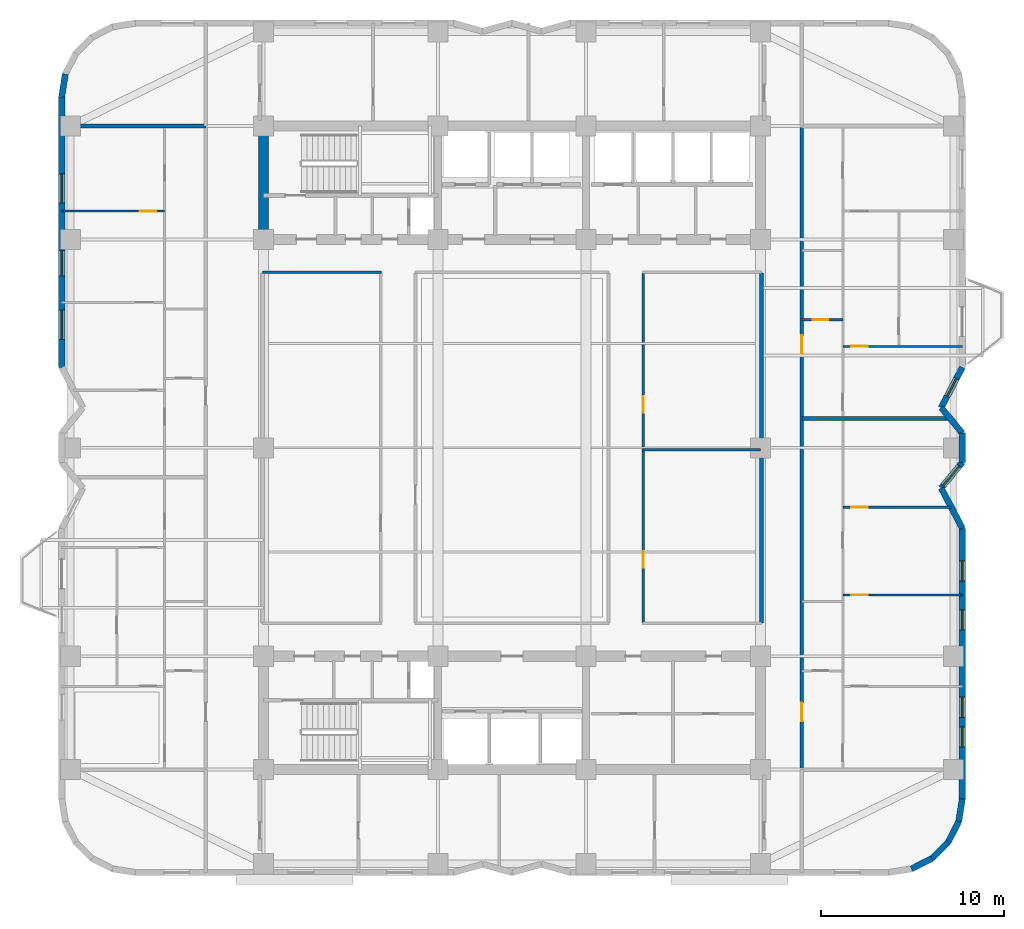
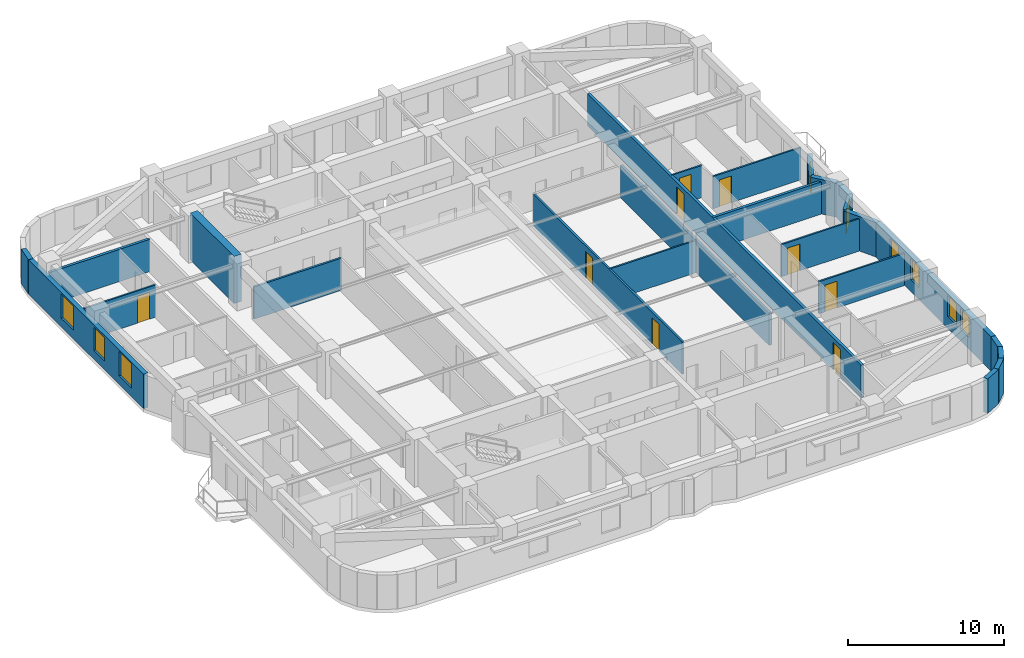
# One storey, part 5 of 10: 25 walls, 9 doors, 9 windows, 18 openings.
"""IFC4 building model written with IfcOpenShell, lengths in metres."""

from ifc_helpers import new_model, si_unit, direction, frame, frame_2d, origin, place, context, subcontext, project, spatial, rectangle, extrude, material, layer, layer_set, type_object, element, fill, save


model = new_model("IFC4")

# Units and contexts
model_context = context("Model", 3, precision=1e-05, world=origin(), true_north=direction((0.0, 1.0)))
body_context = subcontext(model_context, "Body", "Model", "MODEL_VIEW")
ifc_project = project(units=[si_unit("LENGTHUNIT", "METRE"), si_unit("AREAUNIT", "SQUARE_METRE"), si_unit("VOLUMEUNIT", "CUBIC_METRE"), si_unit("PLANEANGLEUNIT", "RADIAN"), si_unit("MASSUNIT", "GRAM", prefix="KILO")], contexts=[model_context])

# Site, building, storey
site_placement = place(None, origin())
site = spatial("IfcSite", under=ifc_project, at=site_placement, CompositionType="ELEMENT")
building_placement = place(site_placement, origin())
building = spatial("IfcBuilding", under=site, at=building_placement, Name="Svetorya Sky Lyceum", CompositionType="ELEMENT")
storey_placement = place(building_placement, frame((0.0, 0.0, 129.0)))
storey = spatial("IfcBuildingStorey", under=building, at=storey_placement, Name="L32", CompositionType="ELEMENT", Elevation=129.0)

# Walls
ifc_material_1 = material(Name="Concrete C60/75", Category="concrete")
ifc_layer_1 = layer(ifc_material_1, 0.550048828125)
ifc_layer_set_1 = layer_set([ifc_layer_1], Name="Concrete C60/75")
wall_type_1 = type_object("IfcWallType", Name="WL-CORE-550", PredefinedType="SHEAR", material=ifc_layer_set_1)
wall_1_placement = place(storey_placement, frame((25.60009765625, 39.875, 0.0), z_axis=(0.0, 0.0, 1.0), x_axis=(0.0, 1.0, 0.0)))
element("IfcWall", 1, at=wall_1_placement, inside=storey, type_object=wall_type_1, Name="L32 NC West Core Shear Wall", PredefinedType="SHEAR", context=body_context, shape_type="SweptSolid", body=[
    extrude(rectangle(XDim=5.64990234375, YDim=0.550048828125, at=frame_2d((2.824951171875, 0.0))), origin(), (0.0, 0.0, 1.0), 3.699951171875),
])
ifc_material_2 = material(Name="Putilovo limestone rainscreen on autoclaved cellular masonry", Category="masonry")
ifc_layer_2 = layer(ifc_material_2, 0.340087890625)
ifc_layer_set_2 = layer_set([ifc_layer_2], Name="Putilovo limestone rainscreen on autoclaved cellular masonry")
wall_type_2 = type_object("IfcWallType", Name="WL-EXT-340", PredefinedType="SOLIDWALL", material=ifc_layer_set_2)
for number, where, z_axis, x_axis, name in (
    (2, (61.04541015625, 5.167236328125, 0.0), (0.0, 0.0, 1.0), (0.890953769915, 0.454094020963, 0.0), "L32 Limestone Exterior Wall 13M"),
    (3, (62.168701171875, 5.73974609375, 0.0), (0.0, 0.0, 1.0), (0.707203598708, 0.707009950407, 0.0), "L32 Limestone Exterior Wall 14M"),
):
    element("IfcWall", number, at=place(storey_placement, frame(where, z_axis=z_axis, x_axis=x_axis)), inside=storey, type_object=wall_type_2, Name=name, PredefinedType="SOLIDWALL", context=body_context, shape_type="SweptSolid", body=[
        extrude(rectangle(XDim=1.2607421875, YDim=0.340087890625, at=frame_2d((0.63037109375, 0.0))), origin(), (0.0, 0.0, 1.0), 2.699951171875),
    ])
for number, where, z_axis, x_axis, name in (
    (4, (63.060302734375, 6.631103515625, 0.0), (0.0, 0.0, 1.0), (0.454015689056, 0.890993689142, 0.0), "L32 Limestone Exterior Wall 15M"),
    (5, (63.6328125, 7.754638671875, 0.0), (0.0, 0.0, 1.0), (0.15644975923, 0.987685918112, 0.0), "L32 Limestone Exterior Wall 16M"),
):
    element("IfcWall", number, at=place(storey_placement, frame(where, z_axis=z_axis, x_axis=x_axis)), inside=storey, type_object=wall_type_2, Name=name, PredefinedType="SOLIDWALL", context=body_context, shape_type="SweptSolid", body=[
        extrude(rectangle(XDim=1.260986328125, YDim=0.340087890625, at=frame_2d((0.63037109375, 0.0))), origin(), (0.0, 0.0, 1.0), 2.699951171875),
    ])

# Wall, openings, windows
wall_2_placement = place(storey_placement, frame((63.830078125, 9.0, 0.0), z_axis=(0.0, 0.0, 1.0), x_axis=(0.0, 1.0, 0.0)))
wall_2 = element("IfcWall", 6, at=wall_2_placement, inside=storey, type_object=wall_type_2, Name="L32 Limestone Exterior Wall 17M", PredefinedType="SOLIDWALL", context=body_context, shape_type="SweptSolid", body=[
    extrude(rectangle(XDim=14.800048828125, YDim=0.340087890625, at=frame_2d((7.39990234375, 0.0))), origin(), (0.0, 0.0, 1.0), 2.699951171875),
])
opening_1_placement = place(wall_2_placement, frame((2.83740234375, 0.0, 0.929931640625)))
opening_1 = element("IfcOpeningElement", 7, at=opening_1_placement, cuts=wall_2, Name="Opening W-R3", PredefinedType="OPENING", context=body_context, shape_type="SweptSolid", body=[
    extrude(rectangle(XDim=1.10009765625, YDim=1.64990234375, at=frame_2d((0.550048828125, 0.824951171875))), frame((0.0, 0.179931640625, 0.0), z_axis=(0.0, -1.0, 0.0), x_axis=(1.0, 0.0, 0.0)), (0.0, 0.0, 1.0), 0.360107421875),
])
opening_2_placement = place(wall_2_placement, frame((4.46240234375, 0.0, 0.929931640625)))
opening_2 = element("IfcOpeningElement", 8, at=opening_2_placement, cuts=wall_2, Name="Opening W-R3", PredefinedType="OPENING", context=body_context, shape_type="SweptSolid", body=[
    extrude(rectangle(XDim=1.10009765625, YDim=1.64990234375, at=frame_2d((0.550048828125, 0.824951171875))), frame((0.0, 0.179931640625, 0.0), z_axis=(0.0, -1.0, 0.0), x_axis=(1.0, 0.0, 0.0)), (0.0, 0.0, 1.0), 0.360107421875),
])
opening_3_placement = place(wall_2_placement, frame((9.237548828125, 0.0, 0.929931640625)))
opening_3 = element("IfcOpeningElement", 9, at=opening_3_placement, cuts=wall_2, Name="Opening W-R3", PredefinedType="OPENING", context=body_context, shape_type="SweptSolid", body=[
    extrude(rectangle(XDim=1.10009765625, YDim=1.64990234375, at=frame_2d((0.550048828125, 0.824951171875))), frame((0.0, 0.179931640625, 0.0), z_axis=(0.0, -1.0, 0.0), x_axis=(1.0, 0.0, 0.0)), (0.0, 0.0, 1.0), 0.360107421875),
])
opening_4_placement = place(wall_2_placement, frame((11.91259765625, 0.0, 0.929931640625)))
opening_4 = element("IfcOpeningElement", 10, at=opening_4_placement, cuts=wall_2, Name="Opening W-R3", PredefinedType="OPENING", context=body_context, shape_type="SweptSolid", body=[
    extrude(rectangle(XDim=1.10009765625, YDim=1.64990234375, at=frame_2d((0.550048828125, 0.824951171875))), frame((0.0, 0.179931640625, 0.0), z_axis=(0.0, -1.0, 0.0), x_axis=(1.0, 0.0, 0.0)), (0.0, 0.0, 1.0), 0.360107421875),
])
ifc_material_3 = material(Name="Thermally broken aluminium frame with triple low-E glazing", Category="aluminium")
window_type_1 = type_object("IfcWindowType", Name="WN-RES-110", PartitioningType="SINGLE_PANEL", PredefinedType="WINDOW", material=ifc_material_3)
window_1_placement = place(opening_1_placement, origin())
window_1 = element("IfcWindow", 11, at=window_1_placement, inside=storey, type_object=window_type_1, Name="L32 Facade Window W-R3.17M.1", OverallHeight=1.64990234375, OverallWidth=1.10009765625, PartitioningType="SINGLE_PANEL", PredefinedType="WINDOW", context=body_context, shape_type="SweptSolid", body=[
    extrude(rectangle(XDim=1.10009765625, YDim=1.64990234375, at=frame_2d((0.550048828125, 0.824951171875))), frame((0.0, 0.030029296875, 0.0), z_axis=(0.0, -1.0, 0.0), x_axis=(1.0, 0.0, 0.0)), (0.0, 0.0, 1.0), 0.06005859375),
])
fill(opening_1, window_1)
window_2_placement = place(opening_2_placement, origin())
window_2 = element("IfcWindow", 12, at=window_2_placement, inside=storey, type_object=window_type_1, Name="L32 Facade Window W-R3.17M.2", OverallHeight=1.64990234375, OverallWidth=1.10009765625, PartitioningType="SINGLE_PANEL", PredefinedType="WINDOW", context=body_context, shape_type="SweptSolid", body=[
    extrude(rectangle(XDim=1.10009765625, YDim=1.64990234375, at=frame_2d((0.550048828125, 0.824951171875))), frame((0.0, 0.030029296875, 0.0), z_axis=(0.0, -1.0, 0.0), x_axis=(1.0, 0.0, 0.0)), (0.0, 0.0, 1.0), 0.06005859375),
])
fill(opening_2, window_2)
window_3_placement = place(opening_3_placement, origin())
window_3 = element("IfcWindow", 13, at=window_3_placement, inside=storey, type_object=window_type_1, Name="L32 Facade Window W-R3.17M.3", OverallHeight=1.64990234375, OverallWidth=1.10009765625, PartitioningType="SINGLE_PANEL", PredefinedType="WINDOW", context=body_context, shape_type="SweptSolid", body=[
    extrude(rectangle(XDim=1.10009765625, YDim=1.64990234375, at=frame_2d((0.550048828125, 0.824951171875))), frame((0.0, 0.030029296875, 0.0), z_axis=(0.0, -1.0, 0.0), x_axis=(1.0, 0.0, 0.0)), (0.0, 0.0, 1.0), 0.06005859375),
])
fill(opening_3, window_3)
window_4_placement = place(opening_4_placement, origin())
window_4 = element("IfcWindow", 14, at=window_4_placement, inside=storey, type_object=window_type_1, Name="L32 Facade Window W-R3.17M.4", OverallHeight=1.64990234375, OverallWidth=1.10009765625, PartitioningType="SINGLE_PANEL", PredefinedType="WINDOW", context=body_context, shape_type="SweptSolid", body=[
    extrude(rectangle(XDim=1.10009765625, YDim=1.64990234375, at=frame_2d((0.550048828125, 0.824951171875))), frame((0.0, 0.030029296875, 0.0), z_axis=(0.0, -1.0, 0.0), x_axis=(1.0, 0.0, 0.0)), (0.0, 0.0, 1.0), 0.06005859375),
])
fill(opening_4, window_4)

# Wall
wall_3_placement = place(storey_placement, frame((63.830078125, 23.800048828125, 0.0), z_axis=(0.0, 0.0, 1.0), x_axis=(-0.463308627993, 0.886196995722, 0.0)))
element("IfcWall", 15, at=wall_3_placement, inside=storey, type_object=wall_type_2, Name="L32 Limestone Exterior Wall 18M", PredefinedType="SOLIDWALL", context=body_context, shape_type="SweptSolid", body=[
    extrude(rectangle(XDim=2.482421875, YDim=0.340087890625, at=frame_2d((1.2412109375, 0.0))), origin(), (0.0, 0.0, 1.0), 2.699951171875),
])

# Wall, opening, window
wall_4_placement = place(storey_placement, frame((62.679931640625, 26.0, 0.0), z_axis=(0.0, 0.0, 1.0), x_axis=(0.634814134075, 0.772664878961, 0.0)))
wall_4 = element("IfcWall", 16, at=wall_4_placement, inside=storey, type_object=wall_type_2, Name="L32 Limestone Exterior Wall 19M", PredefinedType="SOLIDWALL", context=body_context, shape_type="SweptSolid", body=[
    extrude(rectangle(XDim=1.811767578125, YDim=0.340087890625, at=frame_2d((0.90576171875, 0.0))), origin(), (0.0, 0.0, 1.0), 2.699951171875),
])
opening_5_placement = place(wall_4_placement, frame((0.159912109375, 0.0, 0.68994140625)))
opening_5 = element("IfcOpeningElement", 17, at=opening_5_placement, cuts=wall_4, Name="Opening W-R2", PredefinedType="OPENING", context=body_context, shape_type="SweptSolid", body=[
    extrude(rectangle(XDim=1.39990234375, YDim=1.85009765625, at=frame_2d((0.699951171875, 0.925048828125))), frame((0.0, 0.179931640625, 0.0), z_axis=(0.0, -1.0, 0.0), x_axis=(1.0, 0.0, 0.0)), (0.0, 0.0, 1.0), 0.360107421875),
])
window_type_2 = type_object("IfcWindowType", Name="WN-RES-140", PartitioningType="SINGLE_PANEL", PredefinedType="WINDOW", material=ifc_material_3)
window_5_placement = place(opening_5_placement, origin())
window_5 = element("IfcWindow", 18, at=window_5_placement, inside=storey, type_object=window_type_2, Name="L32 Facade Window W-R2.19M.1", OverallHeight=1.85009765625, OverallWidth=1.39990234375, PartitioningType="SINGLE_PANEL", PredefinedType="WINDOW", context=body_context, shape_type="SweptSolid", body=[
    extrude(rectangle(XDim=1.39990234375, YDim=1.85009765625, at=frame_2d((0.699951171875, 0.925048828125))), frame((0.0, 0.030029296875, 0.0), z_axis=(0.0, -1.0, 0.0), x_axis=(1.0, 0.0, 0.0)), (0.0, 0.0, 1.0), 0.06005859375),
])
fill(opening_5, window_5)

# Walls
wall_5_placement = place(storey_placement, frame((63.830078125, 27.39990234375, 0.0), z_axis=(0.0, 0.0, 1.0), x_axis=(0.0, 1.0, 0.0)))
element("IfcWall", 19, at=wall_5_placement, inside=storey, type_object=wall_type_2, Name="L32 Limestone Exterior Wall 20M", PredefinedType="SOLIDWALL", context=body_context, shape_type="SweptSolid", body=[
    extrude(rectangle(XDim=1.60009765625, YDim=0.340087890625, at=frame_2d((0.800048828125, 0.0))), origin(), (0.0, 0.0, 1.0), 2.699951171875),
])
wall_6_placement = place(storey_placement, frame((63.830078125, 29.0, 0.0), z_axis=(0.0, 0.0, 1.0), x_axis=(-0.634814134075, 0.772664878961, 0.0)))
element("IfcWall", 20, at=wall_6_placement, inside=storey, type_object=wall_type_2, Name="L32 Limestone Exterior Wall 21M", PredefinedType="SOLIDWALL", context=body_context, shape_type="SweptSolid", body=[
    extrude(rectangle(XDim=1.811767578125, YDim=0.340087890625, at=frame_2d((0.90576171875, 0.0))), origin(), (0.0, 0.0, 1.0), 2.699951171875),
])

# Wall, opening, window
wall_7_placement = place(storey_placement, frame((62.679931640625, 30.39990234375, 0.0), z_axis=(0.0, 0.0, 1.0), x_axis=(0.46326825181, 0.88621810344, 0.0)))
wall_7 = element("IfcWall", 21, at=wall_7_placement, inside=storey, type_object=wall_type_2, Name="L32 Limestone Exterior Wall 22M", PredefinedType="SOLIDWALL", context=body_context, shape_type="SweptSolid", body=[
    extrude(rectangle(XDim=2.482666015625, YDim=0.340087890625, at=frame_2d((1.2412109375, 0.0))), origin(), (0.0, 0.0, 1.0), 2.699951171875),
])
opening_6_placement = place(wall_7_placement, frame((0.691162109375, 0.0, 0.889892578125)))
opening_6 = element("IfcOpeningElement", 22, at=opening_6_placement, cuts=wall_7, Name="Opening W-R3", PredefinedType="OPENING", context=body_context, shape_type="SweptSolid", body=[
    extrude(rectangle(XDim=1.10009765625, YDim=1.64990234375, at=frame_2d((0.550048828125, 0.824951171875))), frame((0.0, 0.179931640625, 0.0), z_axis=(0.0, -1.0, 0.0), x_axis=(1.0, 0.0, 0.0)), (0.0, 0.0, 1.0), 0.360107421875),
])
window_6_placement = place(opening_6_placement, origin())
window_6 = element("IfcWindow", 23, at=window_6_placement, inside=storey, type_object=window_type_1, Name="L32 Facade Window W-R3.22M.1", OverallHeight=1.64990234375, OverallWidth=1.10009765625, PartitioningType="SINGLE_PANEL", PredefinedType="WINDOW", context=body_context, shape_type="SweptSolid", body=[
    extrude(rectangle(XDim=1.10009765625, YDim=1.64990234375, at=frame_2d((0.550048828125, 0.824951171875))), frame((0.0, 0.030029296875, 0.0), z_axis=(0.0, -1.0, 0.0), x_axis=(1.0, 0.0, 0.0)), (0.0, 0.0, 1.0), 0.06005859375),
])
fill(opening_6, window_6)

# Wall
wall_8_placement = place(storey_placement, frame((14.76708984375, 48.645263671875, 0.0), z_axis=(0.0, 0.0, 1.0), x_axis=(-0.156260864002, -0.98771582066, 0.0)))
element("IfcWall", 24, at=wall_8_placement, inside=storey, type_object=wall_type_2, Name="L32 Limestone Exterior Wall 39M", PredefinedType="SOLIDWALL", context=body_context, shape_type="SweptSolid", body=[
    extrude(rectangle(XDim=1.2607421875, YDim=0.340087890625, at=frame_2d((0.63037109375, 0.0))), origin(), (0.0, 0.0, 1.0), 2.699951171875),
])

# Wall, openings, windows
wall_9_placement = place(storey_placement, frame((14.570068359375, 47.39990234375, 0.0), z_axis=(0.0, 0.0, 1.0), x_axis=(0.0, -1.0, 0.0)))
wall_9 = element("IfcWall", 25, at=wall_9_placement, inside=storey, type_object=wall_type_2, Name="L32 Limestone Exterior Wall 40M", PredefinedType="SOLIDWALL", context=body_context, shape_type="SweptSolid", body=[
    extrude(rectangle(XDim=14.7998046875, YDim=0.340087890625, at=frame_2d((7.39990234375, 0.0))), origin(), (0.0, 0.0, 1.0), 2.699951171875),
])
opening_7_placement = place(wall_9_placement, frame((4.21240234375, 0.0, 0.679931640625)))
opening_7 = element("IfcOpeningElement", 26, at=opening_7_placement, cuts=wall_9, Name="Opening W-R4", PredefinedType="OPENING", context=body_context, shape_type="SweptSolid", body=[
    extrude(rectangle(XDim=1.60009765625, YDim=1.89990234375, at=frame_2d((0.800048828125, 0.949951171875))), frame((0.0, 0.179931640625, 0.0), z_axis=(0.0, -1.0, 0.0), x_axis=(1.0, 0.0, 0.0)), (0.0, 0.0, 1.0), 0.360107421875),
])
opening_8_placement = place(wall_9_placement, frame((8.39990234375, 0.0, 0.68994140625)))
opening_8 = element("IfcOpeningElement", 27, at=opening_8_placement, cuts=wall_9, Name="Opening W-R2", PredefinedType="OPENING", context=body_context, shape_type="SweptSolid", body=[
    extrude(rectangle(XDim=1.39990234375, YDim=1.85009765625, at=frame_2d((0.699951171875, 0.925048828125))), frame((0.0, 0.179931640625, 0.0), z_axis=(0.0, -1.0, 0.0), x_axis=(1.0, 0.0, 0.0)), (0.0, 0.0, 1.0), 0.360107421875),
])
opening_9_placement = place(wall_9_placement, frame((11.66259765625, 0.0, 0.679931640625)))
opening_9 = element("IfcOpeningElement", 28, at=opening_9_placement, cuts=wall_9, Name="Opening W-R4", PredefinedType="OPENING", context=body_context, shape_type="SweptSolid", body=[
    extrude(rectangle(XDim=1.60009765625, YDim=1.89990234375, at=frame_2d((0.800048828125, 0.949951171875))), frame((0.0, 0.179931640625, 0.0), z_axis=(0.0, -1.0, 0.0), x_axis=(1.0, 0.0, 0.0)), (0.0, 0.0, 1.0), 0.360107421875),
])
window_7_placement = place(opening_8_placement, origin())
window_7 = element("IfcWindow", 29, at=window_7_placement, inside=storey, type_object=window_type_2, Name="L32 Facade Window W-R2.40M.3", OverallHeight=1.85009765625, OverallWidth=1.39990234375, PartitioningType="SINGLE_PANEL", PredefinedType="WINDOW", context=body_context, shape_type="SweptSolid", body=[
    extrude(rectangle(XDim=1.39990234375, YDim=1.85009765625, at=frame_2d((0.699951171875, 0.925048828125))), frame((0.0, 0.030029296875, 0.0), z_axis=(0.0, -1.0, 0.0), x_axis=(1.0, 0.0, 0.0)), (0.0, 0.0, 1.0), 0.06005859375),
])
fill(opening_8, window_7)
window_type_3 = type_object("IfcWindowType", Name="WN-RES-160", PartitioningType="DOUBLE_PANEL_VERTICAL", PredefinedType="WINDOW", material=ifc_material_3)
window_8_placement = place(opening_7_placement, origin())
window_8 = element("IfcWindow", 30, at=window_8_placement, inside=storey, type_object=window_type_3, Name="L32 Facade Window W-R4.40M.1", OverallHeight=1.89990234375, OverallWidth=1.60009765625, PartitioningType="SINGLE_PANEL", PredefinedType="WINDOW", context=body_context, shape_type="SweptSolid", body=[
    extrude(rectangle(XDim=1.60009765625, YDim=1.89990234375, at=frame_2d((0.800048828125, 0.949951171875))), frame((0.0, 0.030029296875, 0.0), z_axis=(0.0, -1.0, 0.0), x_axis=(1.0, 0.0, 0.0)), (0.0, 0.0, 1.0), 0.06005859375),
])
fill(opening_7, window_8)
window_9_placement = place(opening_9_placement, origin())
window_9 = element("IfcWindow", 31, at=window_9_placement, inside=storey, type_object=window_type_3, Name="L32 Facade Window W-R4.40M.2", OverallHeight=1.89990234375, OverallWidth=1.60009765625, PartitioningType="SINGLE_PANEL", PredefinedType="WINDOW", context=body_context, shape_type="SweptSolid", body=[
    extrude(rectangle(XDim=1.60009765625, YDim=1.89990234375, at=frame_2d((0.800048828125, 0.949951171875))), frame((0.0, 0.030029296875, 0.0), z_axis=(0.0, -1.0, 0.0), x_axis=(1.0, 0.0, 0.0)), (0.0, 0.0, 1.0), 0.06005859375),
])
fill(opening_9, window_9)

# Wall
ifc_material_4 = material(Name="Twin-stud galvanized framing with double fireboard", Category="gypsum")
ifc_layer_3 = layer(ifc_material_4, 0.1201171875)
ifc_layer_set_3 = layer_set([ifc_layer_3], Name="Twin-stud galvanized framing with double fireboard")
wall_type_3 = type_object("IfcWallType", Name="WL-PART-120", PredefinedType="PARTITIONING", material=ifc_layer_set_3)
wall_10_placement = place(storey_placement, frame((46.3798828125, 28.10009765625, 0.0), z_axis=(0.0, 0.0, 1.0), x_axis=(1.0, 0.0, 0.0)))
element("IfcWall", 32, at=wall_10_placement, inside=storey, type_object=wall_type_3, Name="L32 Interior Partition ISL-HMID", PredefinedType="PARTITIONING", context=body_context, shape_type="SweptSolid", body=[
    extrude(rectangle(XDim=6.420166015625, YDim=0.1201171875, at=frame_2d((3.2099609375, 0.0))), origin(), (0.0, 0.0, 1.0), 2.530029296875),
])

# Wall, opening, door
wall_11_placement = place(storey_placement, frame((14.570068359375, 41.14990234375, 0.0), z_axis=(0.0, 0.0, 1.0), x_axis=(1.0, 0.0, 0.0)))
wall_11 = element("IfcWall", 33, at=wall_11_placement, inside=storey, type_object=wall_type_3, Name="L32 Interior Partition W2-WL3", PredefinedType="PARTITIONING", context=body_context, shape_type="SweptSolid", body=[
    extrude(rectangle(XDim=5.6298828125, YDim=0.1201171875, at=frame_2d((2.81494140625, 0.0))), origin(), (0.0, 0.0, 1.0), 2.530029296875),
])
opening_10_placement = place(wall_11_placement, frame((4.280029296875, 0.0, 0.0)))
opening_10 = element("IfcOpeningElement", 34, at=opening_10_placement, cuts=wall_11, Name="Opening D-RM1", PredefinedType="OPENING", context=body_context, shape_type="SweptSolid", body=[
    extrude(rectangle(XDim=0.89990234375, YDim=2.10009765625, at=frame_2d((0.449951171875, 1.050048828125))), frame((0.0, 0.070068359375, 0.0), z_axis=(0.0, -1.0, 0.0), x_axis=(1.0, 0.0, 0.0)), (0.0, 0.0, 1.0), 0.14013671875),
])
ifc_material_5 = material(Name="Lacquered birch veneer internal door")
door_type_1 = type_object("IfcDoorType", Name="DR-INT-900", OperationType="SINGLE_SWING_LEFT", PredefinedType="DOOR", material=ifc_material_5)
door_1_placement = place(opening_10_placement, origin())
door_1 = element("IfcDoor", 35, at=door_1_placement, inside=storey, type_object=door_type_1, Name="Apartment W2 Bedroom 3 Door", OperationType="SINGLE_SWING_RIGHT", OverallHeight=2.10009765625, OverallWidth=0.89990234375, PredefinedType="DOOR", context=body_context, shape_type="SweptSolid", body=[
    extrude(rectangle(XDim=0.89990234375, YDim=2.10009765625, at=frame_2d((0.449951171875, 1.050048828125))), frame((0.0, 0.02490234375, 0.0), z_axis=(0.0, -1.0, 0.0), x_axis=(1.0, 0.0, 0.0)), (0.0, 0.0, 1.0), 0.050048828125),
])
fill(opening_10, door_1)

wall_12_placement = place(storey_placement, frame((57.300048828125, 20.14990234375, 0.0), z_axis=(0.0, 0.0, 1.0), x_axis=(1.0, 0.0, 0.0)))
wall_12 = element("IfcWall", 36, at=wall_12_placement, inside=storey, type_object=wall_type_3, Name="L32 Interior Partition E1-WL2", PredefinedType="PARTITIONING", context=body_context, shape_type="SweptSolid", body=[
    extrude(rectangle(XDim=6.530029296875, YDim=0.1201171875, at=frame_2d((3.26513671875, 0.0))), origin(), (0.0, 0.0, 1.0), 2.530029296875),
])
opening_11_placement = place(wall_12_placement, frame((0.449951171875, 0.0, 0.0)))
opening_11 = element("IfcOpeningElement", 37, at=opening_11_placement, cuts=wall_12, Name="Opening D-RM1", PredefinedType="OPENING", context=body_context, shape_type="SweptSolid", body=[
    extrude(rectangle(XDim=0.89990234375, YDim=2.10009765625, at=frame_2d((0.449951171875, 1.050048828125))), frame((0.0, 0.070068359375, 0.0), z_axis=(0.0, -1.0, 0.0), x_axis=(1.0, 0.0, 0.0)), (0.0, 0.0, 1.0), 0.14013671875),
])
door_2_placement = place(opening_11_placement, origin())
door_2 = element("IfcDoor", 38, at=door_2_placement, inside=storey, type_object=door_type_1, Name="Apartment E1 Bedroom 2 Door", OperationType="SINGLE_SWING_LEFT", OverallHeight=2.10009765625, OverallWidth=0.89990234375, PredefinedType="DOOR", context=body_context, shape_type="SweptSolid", body=[
    extrude(rectangle(XDim=0.89990234375, YDim=2.10009765625, at=frame_2d((0.449951171875, 1.050048828125))), frame((0.0, 0.02490234375, 0.0), z_axis=(0.0, -1.0, 0.0), x_axis=(1.0, 0.0, 0.0)), (0.0, 0.0, 1.0), 0.050048828125),
])
fill(opening_11, door_2)

wall_13_placement = place(storey_placement, frame((57.300048828125, 24.949951171875, 0.0), z_axis=(0.0, 0.0, 1.0), x_axis=(1.0, 0.0, 0.0)))
wall_13 = element("IfcWall", 39, at=wall_13_placement, inside=storey, type_object=wall_type_3, Name="L32 Interior Partition E1-WL3", PredefinedType="PARTITIONING", context=body_context, shape_type="SweptSolid", body=[
    extrude(rectangle(XDim=5.928955078125, YDim=0.1201171875, at=frame_2d((2.96435546875, 0.0))), origin(), (0.0, 0.0, 1.0), 2.530029296875),
])
opening_12_placement = place(wall_13_placement, frame((0.449951171875, 0.0, 0.0)))
opening_12 = element("IfcOpeningElement", 40, at=opening_12_placement, cuts=wall_13, Name="Opening D-RM1", PredefinedType="OPENING", context=body_context, shape_type="SweptSolid", body=[
    extrude(rectangle(XDim=0.89990234375, YDim=2.10009765625, at=frame_2d((0.449951171875, 1.050048828125))), frame((0.0, 0.070068359375, 0.0), z_axis=(0.0, -1.0, 0.0), x_axis=(1.0, 0.0, 0.0)), (0.0, 0.0, 1.0), 0.14013671875),
])
door_3_placement = place(opening_12_placement, origin())
door_3 = element("IfcDoor", 41, at=door_3_placement, inside=storey, type_object=door_type_1, Name="Apartment E1 Bedroom 3 Door", OperationType="SINGLE_SWING_RIGHT", OverallHeight=2.10009765625, OverallWidth=0.89990234375, PredefinedType="DOOR", context=body_context, shape_type="SweptSolid", body=[
    extrude(rectangle(XDim=0.89990234375, YDim=2.10009765625, at=frame_2d((0.449951171875, 1.050048828125))), frame((0.0, 0.02490234375, 0.0), z_axis=(0.0, -1.0, 0.0), x_axis=(1.0, 0.0, 0.0)), (0.0, 0.0, 1.0), 0.050048828125),
])
fill(opening_12, door_3)

wall_14_placement = place(storey_placement, frame((55.050048828125, 35.199951171875, 0.0), z_axis=(0.0, 0.0, 1.0), x_axis=(1.0, 0.0, 0.0)))
wall_14 = element("IfcWall", 42, at=wall_14_placement, inside=storey, type_object=wall_type_3, Name="L32 Interior Partition E2-WH1", PredefinedType="PARTITIONING", context=body_context, shape_type="SweptSolid", body=[
    extrude(rectangle(XDim=2.25, YDim=0.1201171875, at=frame_2d((1.125, 0.0))), origin(), (0.0, 0.0, 1.0), 2.530029296875),
])
opening_13_placement = place(wall_14_placement, frame((0.60009765625, 0.0, 0.0)))
opening_13 = element("IfcOpeningElement", 43, at=opening_13_placement, cuts=wall_14, Name="Opening D-BT1", PredefinedType="OPENING", context=body_context, shape_type="SweptSolid", body=[
    extrude(rectangle(XDim=0.85009765625, YDim=2.10009765625, at=frame_2d((0.425048828125, 1.050048828125))), frame((0.0, 0.070068359375, 0.0), z_axis=(0.0, -1.0, 0.0), x_axis=(1.0, 0.0, 0.0)), (0.0, 0.0, 1.0), 0.14013671875),
])
ifc_material_6 = material(Name="Moisture-resistant laminate bathroom door")
door_type_2 = type_object("IfcDoorType", Name="DR-WET-850", OperationType="SINGLE_SWING_LEFT", PredefinedType="DOOR", material=ifc_material_6)
door_4_placement = place(opening_13_placement, origin())
door_4 = element("IfcDoor", 44, at=door_4_placement, inside=storey, type_object=door_type_2, Name="Apartment E2 Bathroom Door", OperationType="SINGLE_SWING_LEFT", OverallHeight=2.10009765625, OverallWidth=0.85009765625, PredefinedType="DOOR", context=body_context, shape_type="SweptSolid", body=[
    extrude(rectangle(XDim=0.85009765625, YDim=2.10009765625, at=frame_2d((0.425048828125, 1.050048828125))), frame((0.0, 0.02490234375, 0.0), z_axis=(0.0, -1.0, 0.0), x_axis=(1.0, 0.0, 0.0)), (0.0, 0.0, 1.0), 0.050048828125),
])
fill(opening_13, door_4)

wall_15_placement = place(storey_placement, frame((57.300048828125, 33.75, 0.0), z_axis=(0.0, 0.0, 1.0), x_axis=(1.0, 0.0, 0.0)))
wall_15 = element("IfcWall", 45, at=wall_15_placement, inside=storey, type_object=wall_type_3, Name="L32 Interior Partition E2-WL1", PredefinedType="PARTITIONING", context=body_context, shape_type="SweptSolid", body=[
    extrude(rectangle(XDim=6.530029296875, YDim=0.1201171875, at=frame_2d((3.26513671875, 0.0))), origin(), (0.0, 0.0, 1.0), 2.530029296875),
])
opening_14_placement = place(wall_15_placement, frame((0.449951171875, 0.0, 0.0)))
opening_14 = element("IfcOpeningElement", 46, at=opening_14_placement, cuts=wall_15, Name="Opening D-RM1", PredefinedType="OPENING", context=body_context, shape_type="SweptSolid", body=[
    extrude(rectangle(XDim=0.89990234375, YDim=2.10009765625, at=frame_2d((0.449951171875, 1.050048828125))), frame((0.0, 0.070068359375, 0.0), z_axis=(0.0, -1.0, 0.0), x_axis=(1.0, 0.0, 0.0)), (0.0, 0.0, 1.0), 0.14013671875),
])
door_5_placement = place(opening_14_placement, origin())
door_5 = element("IfcDoor", 47, at=door_5_placement, inside=storey, type_object=door_type_1, Name="Apartment E2 Master Bedroom Door", OperationType="SINGLE_SWING_LEFT", OverallHeight=2.10009765625, OverallWidth=0.89990234375, PredefinedType="DOOR", context=body_context, shape_type="SweptSolid", body=[
    extrude(rectangle(XDim=0.89990234375, YDim=2.10009765625, at=frame_2d((0.449951171875, 1.050048828125))), frame((0.0, 0.02490234375, 0.0), z_axis=(0.0, -1.0, 0.0), x_axis=(1.0, 0.0, 0.0)), (0.0, 0.0, 1.0), 0.050048828125),
])
fill(opening_14, door_5)

# Wall
ifc_material_7 = material(Name="Autoclaved cellular masonry blockwork with acoustic render", Category="masonry")
ifc_layer_4 = layer(ifc_material_7, 0.14990234375)
ifc_layer_set_4 = layer_set([ifc_layer_4], Name="Autoclaved cellular masonry blockwork with acoustic render")
wall_type_4 = type_object("IfcWallType", Name="WL-PART-150", PredefinedType="PARTITIONING", material=ifc_layer_set_4)
wall_16_placement = place(storey_placement, frame((25.550048828125, 37.800048828125, 0.0), z_axis=(0.0, 0.0, 1.0), x_axis=(1.0, 0.0, 0.0)))
element("IfcWall", 48, at=wall_16_placement, inside=storey, type_object=wall_type_4, Name="L32 Interior Partition RL-CN-W", PredefinedType="PARTITIONING", context=body_context, shape_type="SweptSolid", body=[
    extrude(rectangle(XDim=6.5, YDim=0.14990234375, at=frame_2d((3.25, 0.0))), origin(), (0.0, 0.0, 1.0), 2.530029296875),
])

# Wall, openings, doors
wall_17_placement = place(storey_placement, frame((46.3798828125, 18.6298828125, 0.0), z_axis=(0.0, 0.0, 1.0), x_axis=(0.0, 1.0, 0.0)))
wall_17 = element("IfcWall", 49, at=wall_17_placement, inside=storey, type_object=wall_type_4, Name="L32 Interior Partition ISL-EE", PredefinedType="PARTITIONING", context=body_context, shape_type="SweptSolid", body=[
    extrude(rectangle(XDim=19.14013671875, YDim=0.14990234375, at=frame_2d((9.570068359375, 0.0))), origin(), (0.0, 0.0, 1.0), 2.530029296875),
])
opening_15_placement = place(wall_17_placement, frame((3.0, 0.0, 0.0)))
opening_15 = element("IfcOpeningElement", 50, at=opening_15_placement, cuts=wall_17, Name="Opening D-RM1", PredefinedType="OPENING", context=body_context, shape_type="SweptSolid", body=[
    extrude(rectangle(XDim=0.89990234375, YDim=2.10009765625, at=frame_2d((0.449951171875, 1.050048828125))), frame((0.0, 0.0849609375, 0.0), z_axis=(0.0, -1.0, 0.0), x_axis=(1.0, 0.0, 0.0)), (0.0, 0.0, 1.0), 0.169921875),
])
opening_16_placement = place(wall_17_placement, frame((11.5, 0.0, 0.0)))
opening_16 = element("IfcOpeningElement", 51, at=opening_16_placement, cuts=wall_17, Name="Opening D-RM1", PredefinedType="OPENING", context=body_context, shape_type="SweptSolid", body=[
    extrude(rectangle(XDim=0.89990234375, YDim=2.10009765625, at=frame_2d((0.449951171875, 1.050048828125))), frame((0.0, 0.0849609375, 0.0), z_axis=(0.0, -1.0, 0.0), x_axis=(1.0, 0.0, 0.0)), (0.0, 0.0, 1.0), 0.169921875),
])
door_6_placement = place(opening_15_placement, origin())
door_6 = element("IfcDoor", 52, at=door_6_placement, inside=storey, type_object=door_type_1, Name="L32 Focus Door", OperationType="SINGLE_SWING_LEFT", OverallHeight=2.10009765625, OverallWidth=0.89990234375, PredefinedType="DOOR", context=body_context, shape_type="SweptSolid", body=[
    extrude(rectangle(XDim=0.89990234375, YDim=2.10009765625, at=frame_2d((0.449951171875, 1.050048828125))), frame((0.0, 0.02490234375, 0.0), z_axis=(0.0, -1.0, 0.0), x_axis=(1.0, 0.0, 0.0)), (0.0, 0.0, 1.0), 0.050048828125),
])
fill(opening_15, door_6)
door_7_placement = place(opening_16_placement, origin())
door_7 = element("IfcDoor", 53, at=door_7_placement, inside=storey, type_object=door_type_1, Name="L32 East Meeting Door", OperationType="SINGLE_SWING_RIGHT", OverallHeight=2.10009765625, OverallWidth=0.89990234375, PredefinedType="DOOR", context=body_context, shape_type="SweptSolid", body=[
    extrude(rectangle(XDim=0.89990234375, YDim=2.10009765625, at=frame_2d((0.449951171875, 1.050048828125))), frame((0.0, 0.02490234375, 0.0), z_axis=(0.0, -1.0, 0.0), x_axis=(1.0, 0.0, 0.0)), (0.0, 0.0, 1.0), 0.050048828125),
])
fill(opening_16, door_7)

# Walls
ifc_material_8 = material(Name="Autoclaved cellular masonry blockwork with gypsum plaster", Category="masonry")
ifc_layer_5 = layer(ifc_material_8, 0.199951171875)
ifc_layer_set_5 = layer_set([ifc_layer_5], Name="Autoclaved cellular masonry blockwork with gypsum plaster")
wall_type_5 = type_object("IfcWallType", Name="WL-PART-200", PredefinedType="PARTITIONING", material=ifc_layer_set_5)
wall_18_placement = place(storey_placement, frame((52.85009765625, 18.6298828125, 0.0), z_axis=(0.0, 0.0, 1.0), x_axis=(0.0, 1.0, 0.0)))
element("IfcWall", 54, at=wall_18_placement, inside=storey, type_object=wall_type_5, Name="L32 Interior Partition E-CEN-SEP", PredefinedType="PARTITIONING", context=body_context, shape_type="SweptSolid", body=[
    extrude(rectangle(XDim=19.14013671875, YDim=0.199951171875, at=frame_2d((9.570068359375, 0.0))), origin(), (0.0, 0.0, 1.0), 2.530029296875),
])
wall_19_placement = place(storey_placement, frame((14.989990234375, 45.800048828125, 0.0), z_axis=(0.0, 0.0, 1.0), x_axis=(1.0, 0.0, 0.0)))
element("IfcWall", 55, at=wall_19_placement, inside=storey, type_object=wall_type_5, Name="L32 Interior Partition W-CAP-N", PredefinedType="PARTITIONING", context=body_context, shape_type="SweptSolid", body=[
    extrude(rectangle(XDim=7.4599609375, YDim=0.199951171875, at=frame_2d((3.72998046875, 0.0))), origin(), (0.0, 0.0, 1.0), 2.530029296875),
])
wall_20_placement = place(storey_placement, frame((55.050048828125, 29.800048828125, 0.0), z_axis=(0.0, 0.0, 1.0), x_axis=(1.0, 0.0, 0.0)))
element("IfcWall", 56, at=wall_20_placement, inside=storey, type_object=wall_type_5, Name="L32 Interior Partition E-PARTY-1", PredefinedType="PARTITIONING", context=body_context, shape_type="SweptSolid", body=[
    extrude(rectangle(XDim=8.122802734375, YDim=0.199951171875, at=frame_2d((4.0615234375, 0.0))), origin(), (0.0, 0.0, 1.0), 2.530029296875),
])

# Wall, openings, doors
wall_21_placement = place(storey_placement, frame((55.050048828125, 10.60009765625, 0.0), z_axis=(0.0, 0.0, 1.0), x_axis=(0.0, 1.0, 0.0)))
wall_21 = element("IfcWall", 57, at=wall_21_placement, inside=storey, type_object=wall_type_5, Name="L32 Interior Partition E-CORRW", PredefinedType="PARTITIONING", context=body_context, shape_type="SweptSolid", body=[
    extrude(rectangle(XDim=35.199951171875, YDim=0.199951171875, at=frame_2d((17.60009765625, 0.0))), origin(), (0.0, 0.0, 1.0), 2.530029296875),
])
opening_17_placement = place(wall_21_placement, frame((2.64990234375, 0.0, 0.0)))
opening_17 = element("IfcOpeningElement", 58, at=opening_17_placement, cuts=wall_21, Name="Opening D-APT1", PredefinedType="OPENING", context=body_context, shape_type="SweptSolid", body=[
    extrude(rectangle(XDim=1.0, YDim=2.14990234375, at=frame_2d((0.5, 1.074951171875))), frame((0.0, 0.10986328125, 0.0), z_axis=(0.0, -1.0, 0.0), x_axis=(1.0, 0.0, 0.0)), (0.0, 0.0, 1.0), 0.219970703125),
])
opening_18_placement = place(wall_21_placement, frame((22.75, 0.0, 0.0)))
opening_18 = element("IfcOpeningElement", 59, at=opening_18_placement, cuts=wall_21, Name="Opening D-APT1", PredefinedType="OPENING", context=body_context, shape_type="SweptSolid", body=[
    extrude(rectangle(XDim=1.0, YDim=2.14990234375, at=frame_2d((0.5, 1.074951171875))), frame((0.0, 0.10986328125, 0.0), z_axis=(0.0, -1.0, 0.0), x_axis=(1.0, 0.0, 0.0)), (0.0, 0.0, 1.0), 0.219970703125),
])
ifc_material_9 = material(Name="Insulated oak-veneered apartment entrance door")
door_type_3 = type_object("IfcDoorType", Name="DR-APT-1000", OperationType="SINGLE_SWING_LEFT", PredefinedType="DOOR", material=ifc_material_9)
door_8_placement = place(opening_17_placement, origin())
door_8 = element("IfcDoor", 60, at=door_8_placement, inside=storey, type_object=door_type_3, Name="L32 Apartment E1 Entrance Door", OperationType="SINGLE_SWING_RIGHT", OverallHeight=2.14990234375, OverallWidth=1.0, PredefinedType="DOOR", context=body_context, shape_type="SweptSolid", body=[
    extrude(rectangle(XDim=1.0, YDim=2.14990234375, at=frame_2d((0.5, 1.074951171875))), frame((0.0, 0.02490234375, 0.0), z_axis=(0.0, -1.0, 0.0), x_axis=(1.0, 0.0, 0.0)), (0.0, 0.0, 1.0), 0.050048828125),
])
fill(opening_17, door_8)
door_9_placement = place(opening_18_placement, origin())
door_9 = element("IfcDoor", 61, at=door_9_placement, inside=storey, type_object=door_type_3, Name="L32 Apartment E2 Entrance Door", OperationType="SINGLE_SWING_LEFT", OverallHeight=2.14990234375, OverallWidth=1.0, PredefinedType="DOOR", context=body_context, shape_type="SweptSolid", body=[
    extrude(rectangle(XDim=1.0, YDim=2.14990234375, at=frame_2d((0.5, 1.074951171875))), frame((0.0, 0.02490234375, 0.0), z_axis=(0.0, -1.0, 0.0), x_axis=(1.0, 0.0, 0.0)), (0.0, 0.0, 1.0), 0.050048828125),
])
fill(opening_18, door_9)

save(model, "model.ifc")
